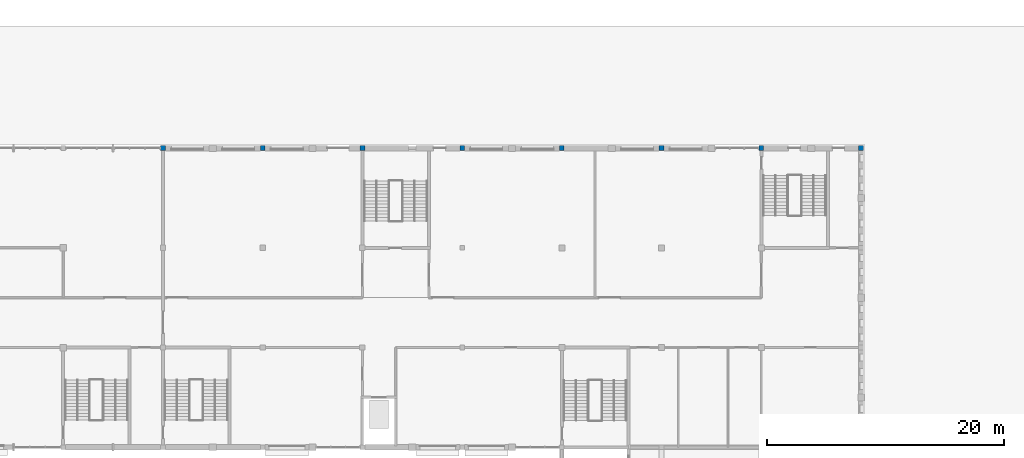
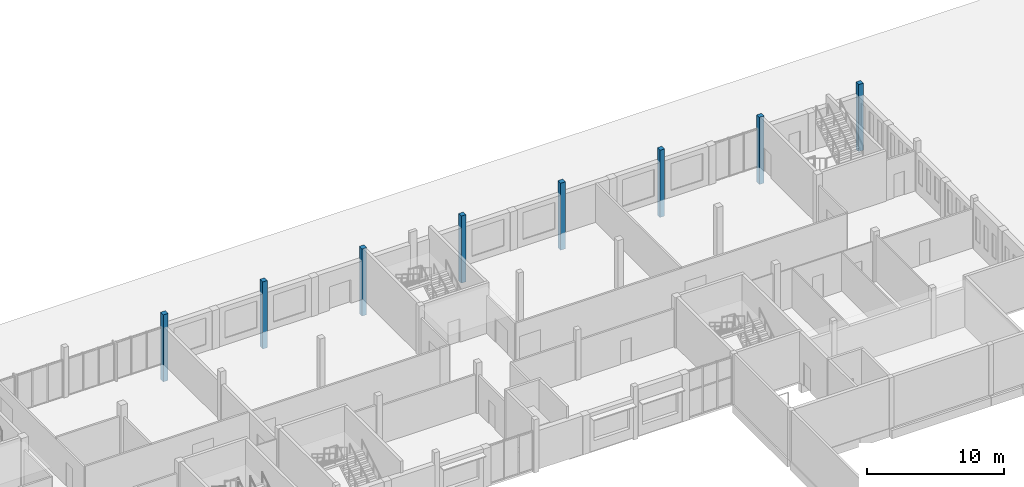
# One storey, part 7 of 101: 8 columns.
"""IFC4 building model written with IfcOpenShell, lengths in metres."""

from ifc_helpers import new_model, si_unit, direction, frame, origin, origin_2d, place, context, subcontext, project, spatial, rectangle, extrude, material, material_profile, profile_set, type_object, element, save


model = new_model("IFC4")

# Units and contexts
model_context = context("Model", 3, precision=1e-05, world=origin(), true_north=direction((0.0, 1.0)))
body_context = subcontext(model_context, "Body", "Model", "MODEL_VIEW")
ifc_project = project(units=[si_unit("LENGTHUNIT", "METRE"), si_unit("AREAUNIT", "SQUARE_METRE"), si_unit("VOLUMEUNIT", "CUBIC_METRE"), si_unit("PLANEANGLEUNIT", "RADIAN"), si_unit("MASSUNIT", "GRAM", prefix="KILO")], contexts=[model_context])

# Site, building, storey
site_placement = place(None, origin())
site = spatial("IfcSite", under=ifc_project, at=site_placement, CompositionType="ELEMENT")
building_placement = place(site_placement, origin())
building = spatial("IfcBuilding", under=site, at=building_placement, Name="Fescue Hill Polytechnic", CompositionType="ELEMENT")
storey_placement = place(building_placement, frame((0.0, 0.0, 9.0)))
storey = spatial("IfcBuildingStorey", under=building, at=storey_placement, Name="L02", CompositionType="ELEMENT", Elevation=9.0)

# Columns
ifc_material = material(Name="Concrete 40 MPa", Category="concrete")
ifc_material_profile = material_profile(ifc_material, rectangle(XDim=0.39990234375, YDim=0.39990234375, at=origin_2d()), Name="RC 400x400")
ifc_profile_set = profile_set([ifc_material_profile], Name="Concrete 40 MPa")
column_type = type_object("IfcColumnType", Name="Column RC 400x400", PredefinedType="COLUMN", material=ifc_profile_set)
for number, where, z_axis, x_axis, name in (
    (1, (58.800048828125, 134.39990234375, -1.5), (0.0, 0.0, 1.0), (1.0, 0.0, 0.0), "COL-L02-V5-028"),
    (2, (67.199951171875, 134.39990234375, -1.5), (0.0, 0.0, 1.0), (1.0, 0.0, 0.0), "COL-L02-V4b-004"),
    (3, (75.60009765625, 134.39990234375, -1.5), (0.0, 0.0, 1.0), (1.0, 0.0, 0.0), "COL-L02-V4b-008"),
    (4, (84.0, 134.39990234375, -1.5), (0.0, 0.0, 1.0), (1.0, 0.0, 0.0), "COL-L02-V4b-012"),
    (5, (92.39990234375, 134.39990234375, -1.5), (0.0, 0.0, 1.0), (1.0, 0.0, 0.0), "COL-L02-V4b-016"),
    (6, (100.800048828125, 134.39990234375, -1.5), (0.0, 0.0, 1.0), (1.0, 0.0, 0.0), "COL-L02-V4b-020"),
    (7, (109.199951171875, 134.39990234375, -1.5), (0.0, 0.0, 1.0), (1.0, 0.0, 0.0), "COL-L02-V4b-024"),
    (8, (117.60009765625, 134.39990234375, -1.5), (0.0, 0.0, 1.0), (1.0, 0.0, 0.0), "COL-L02-V4b-028"),
):
    element("IfcColumn", number, at=place(storey_placement, frame(where, z_axis=z_axis, x_axis=x_axis)), inside=storey, type_object=column_type, Name=name, PredefinedType="COLUMN", context=body_context, shape_type="SweptSolid", body=[
        extrude(rectangle(XDim=0.39990234375, YDim=0.39990234375, at=origin_2d()), origin(), (0.0, 0.0, 1.0), 6.0),
    ])

save(model, "model.ifc")
